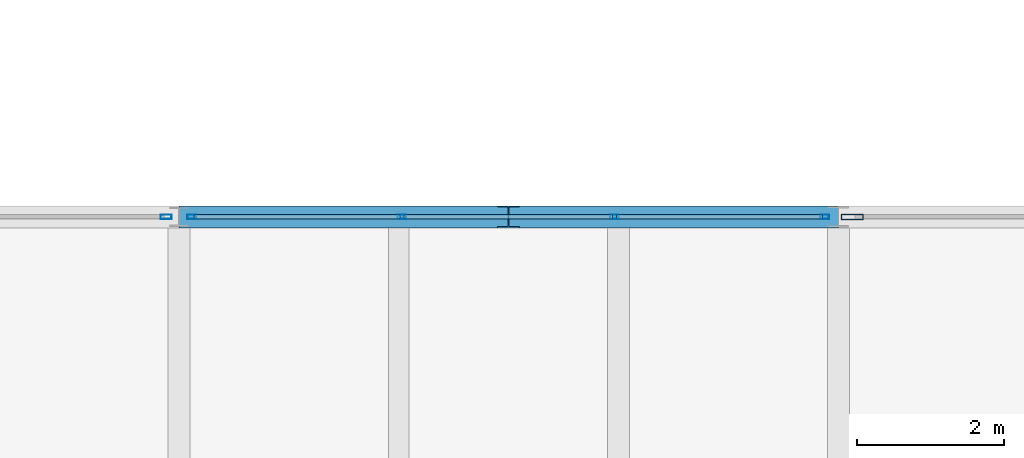
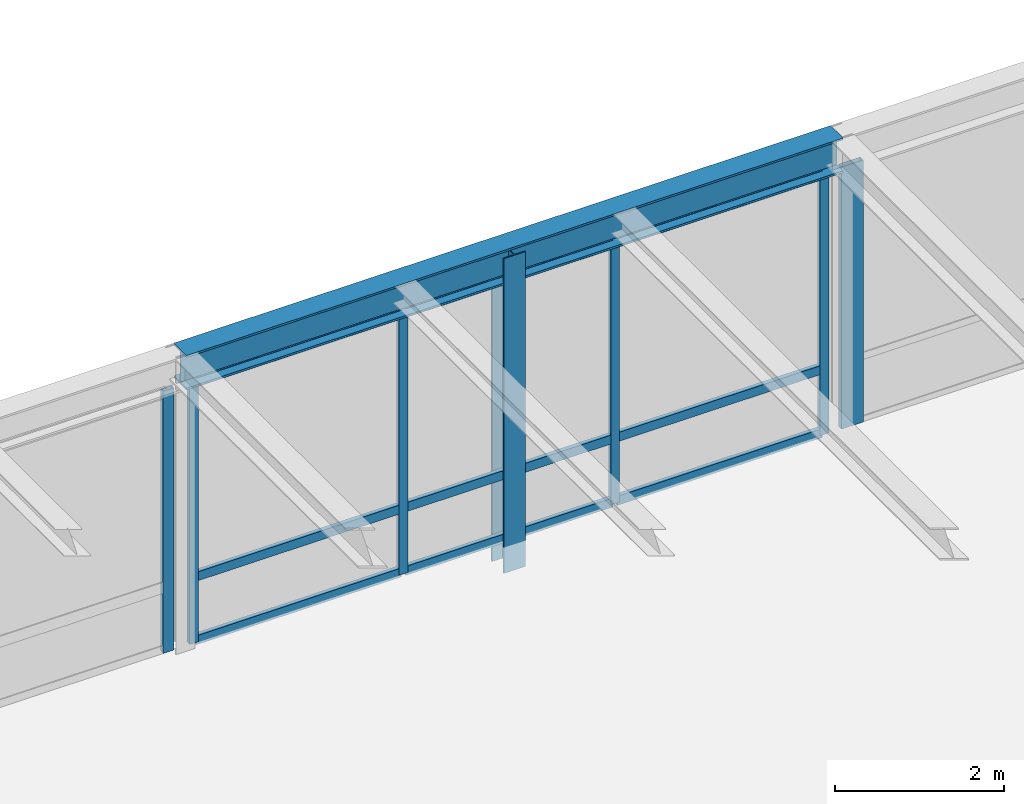
# One storey, part 67 of 115: 16 members, 1 beam, 3 elements without a shape of their own.
"""IFC4 building model written with IfcOpenShell, lengths in metres."""

from ifc_helpers import new_model, si_unit, direction, frame, origin, origin_2d, place, context, subcontext, project, spatial, hollow_rectangle, i_section, extrude, material, layer, layer_set, material_profile, profile_set, type_object, element, aggregate, save


model = new_model("IFC4")

# Units and contexts
model_context = context("Model", 3, precision=1e-05, world=origin(), true_north=direction((0.0, 1.0)))
body_context = subcontext(model_context, "Body", "Model", "MODEL_VIEW")
ifc_project = project(units=[si_unit("LENGTHUNIT", "METRE"), si_unit("AREAUNIT", "SQUARE_METRE"), si_unit("VOLUMEUNIT", "CUBIC_METRE"), si_unit("PLANEANGLEUNIT", "RADIAN"), si_unit("MASSUNIT", "GRAM", prefix="KILO")], contexts=[model_context])

# Site, building, storey
site_placement = place(None, origin())
site = spatial("IfcSite", under=ifc_project, at=site_placement, CompositionType="ELEMENT")
building_placement = place(site_placement, origin())
building = spatial("IfcBuilding", under=site, at=building_placement, Name="Montelvaro Courts of Justice", CompositionType="ELEMENT")
storey_placement = place(building_placement, frame((0.0, 0.0, 9.89990234375)))
storey = spatial("IfcBuildingStorey", under=building, at=storey_placement, Name="L02", CompositionType="ELEMENT", Elevation=9.89990234375)

# Beam
ifc_material_1 = material(Name="Steel S355", Category="steel")
ifc_material_profile_1 = material_profile(ifc_material_1, i_section(OverallWidth=0.300048828125, OverallDepth=0.5, WebThickness=0.014404296875, FlangeThickness=0.028076171875, at=origin_2d()), Name="HEB 500")
ifc_profile_set_1 = profile_set([ifc_material_profile_1], Name="Steel S355")
beam_type = type_object("IfcBeamType", Name="Beam_HEB500", PredefinedType="USERDEFINED", material=ifc_profile_set_1)
beam_placement = place(storey_placement, frame((36.0, 108.0, 4.050048828125), z_axis=(1.0, 0.0, 0.0), x_axis=(0.0, 1.0, 0.0)))
element("IfcBeam", 1, at=beam_placement, inside=storey, type_object=beam_type, Name="Beam B-25 L02", ObjectType="GIRDER", PredefinedType="USERDEFINED", context=body_context, shape_type="SweptSolid", body=[
    extrude(i_section(OverallWidth=0.300048828125, OverallDepth=0.5, WebThickness=0.014404296875, FlangeThickness=0.028076171875, at=origin_2d()), origin(), (0.0, 0.0, 1.0), 9.0),
])

# Curtain wall, members
ifc_material_2 = material(Name="Anodised aluminium EN AW-6063", Category="aluminium")
ifc_layer = layer(ifc_material_2, 0.159912109375)
ifc_layer_set = layer_set([ifc_layer], Name="Anodised aluminium EN AW-6063")
curtain_wall_type = type_object("IfcCurtainWallType", Name="CurtainWall_18_868x418", PredefinedType="USERDEFINED", material=ifc_layer_set)
curtain_wall_1_placement = place(storey_placement, origin())
curtain_wall_1 = element("IfcCurtainWall", 2, at=curtain_wall_1_placement, inside=storey, type_object=curtain_wall_type, Name="Curtain Wall CW-18 (L02)", ObjectType="CURTAIN WALL", PredefinedType="USERDEFINED")
ifc_material_profile_2 = material_profile(ifc_material_2, hollow_rectangle(XDim=0.06005859375, YDim=0.1201171875, WallThickness=0.00341796875, at=origin_2d()), Name="ALU-M 60x120")
ifc_profile_set_2 = profile_set([ifc_material_profile_2], Name="Anodised aluminium EN AW-6063")
member_type_1 = type_object("IfcMemberType", Name="CurtainWall_Mullion_60x120", PredefinedType="MULLION", material=ifc_profile_set_2)
member_1_placement = place(storey_placement, frame((44.81494140625, 108.0, 0.0), z_axis=(0.0, 0.0, 1.0), x_axis=(0.0, -1.0, 0.0)))
member_1 = element("IfcMember", 3, at=member_1_placement, type_object=member_type_1, Name="CW-18 mullion 1", PredefinedType="MULLION", context=body_context, shape_type="SweptSolid", body=[
    extrude(hollow_rectangle(XDim=0.06005859375, YDim=0.1201171875, WallThickness=0.00341796875, at=origin_2d()), origin(), (0.0, 0.0, 1.0), 3.795166015625),
])
member_2_placement = place(storey_placement, frame((41.945068359375, 108.0, 0.0), z_axis=(0.0, 0.0, 1.0), x_axis=(0.0, -1.0, 0.0)))
member_2 = element("IfcMember", 4, at=member_2_placement, type_object=member_type_1, Name="CW-18 mullion 2", PredefinedType="MULLION", context=body_context, shape_type="SweptSolid", body=[
    extrude(hollow_rectangle(XDim=0.06005859375, YDim=0.1201171875, WallThickness=0.00341796875, at=origin_2d()), origin(), (0.0, 0.0, 1.0), 3.795166015625),
])
member_3_placement = place(storey_placement, frame((39.044921875, 108.0, 0.0), z_axis=(0.0, 0.0, 1.0), x_axis=(0.0, -1.0, 0.0)))
member_3 = element("IfcMember", 5, at=member_3_placement, type_object=member_type_1, Name="CW-18 mullion 3", PredefinedType="MULLION", context=body_context, shape_type="SweptSolid", body=[
    extrude(hollow_rectangle(XDim=0.06005859375, YDim=0.1201171875, WallThickness=0.00341796875, at=origin_2d()), origin(), (0.0, 0.0, 1.0), 3.795166015625),
])
member_4_placement = place(storey_placement, frame((36.175048828125, 108.0, 0.0), z_axis=(0.0, 0.0, 1.0), x_axis=(0.0, -1.0, 0.0)))
member_4 = element("IfcMember", 6, at=member_4_placement, type_object=member_type_1, Name="CW-18 mullion 4", PredefinedType="MULLION", context=body_context, shape_type="SweptSolid", body=[
    extrude(hollow_rectangle(XDim=0.06005859375, YDim=0.1201171875, WallThickness=0.00341796875, at=origin_2d()), origin(), (0.0, 0.0, 1.0), 3.795166015625),
])

# Curtain wall, member
curtain_wall_2_placement = place(storey_placement, origin())
curtain_wall_2 = element("IfcCurtainWall", 7, at=curtain_wall_2_placement, inside=storey, type_object=curtain_wall_type, Name="Curtain Wall CW-18 (L02)", ObjectType="CURTAIN WALL", PredefinedType="USERDEFINED")
ifc_material_profile_3 = material_profile(ifc_material_2, hollow_rectangle(XDim=0.06005859375, YDim=0.14990234375, WallThickness=0.00390625, at=origin_2d()), Name="ALU-M 60x150")
ifc_profile_set_3 = profile_set([ifc_material_profile_3], Name="Anodised aluminium EN AW-6063")
member_type_2 = type_object("IfcMemberType", Name="CurtainWall_Mullion_60x150", PredefinedType="MULLION", material=ifc_profile_set_3)
member_5_placement = place(storey_placement, frame((35.824951171875, 108.0, 0.0), z_axis=(0.0, 0.0, 1.0), x_axis=(0.0, -1.0, 0.0)))
member_5 = element("IfcMember", 8, at=member_5_placement, type_object=member_type_2, Name="CW-18 mullion 1", PredefinedType="MULLION", context=body_context, shape_type="SweptSolid", body=[
    extrude(hollow_rectangle(XDim=0.06005859375, YDim=0.14990234375, WallThickness=0.00390625, at=origin_2d()), origin(), (0.0, 0.0, 1.0), 3.795166015625),
])
aggregate(curtain_wall_2, [member_5])

curtain_wall_3_placement = place(storey_placement, origin())
curtain_wall_3 = element("IfcCurtainWall", 9, at=curtain_wall_3_placement, inside=storey, type_object=curtain_wall_type, Name="Curtain Wall CW-18 (L02)", ObjectType="CURTAIN WALL", PredefinedType="USERDEFINED")
ifc_material_profile_4 = material_profile(ifc_material_2, hollow_rectangle(XDim=0.074951171875, YDim=0.300048828125, WallThickness=0.006103515625, at=origin_2d()), Name="ALU-M 75x300")
ifc_profile_set_4 = profile_set([ifc_material_profile_4], Name="Anodised aluminium EN AW-6063")
member_type_3 = type_object("IfcMemberType", Name="CurtainWall_Mullion_75x300", PredefinedType="MULLION", material=ifc_profile_set_4)
member_6_placement = place(storey_placement, frame((45.1923828125, 108.0, 0.0), z_axis=(0.0, 0.0, 1.0), x_axis=(0.0, -1.0, 0.0)))
member_6 = element("IfcMember", 10, at=member_6_placement, type_object=member_type_3, Name="CW-18 mullion 4", PredefinedType="MULLION", context=body_context, shape_type="SweptSolid", body=[
    extrude(hollow_rectangle(XDim=0.074951171875, YDim=0.300048828125, WallThickness=0.006103515625, at=origin_2d()), origin(), (0.0, 0.0, 1.0), 3.795166015625),
])
aggregate(curtain_wall_3, [member_6])

# Member
ifc_material_profile_5 = material_profile(ifc_material_2, hollow_rectangle(XDim=0.06005859375, YDim=0.1298828125, WallThickness=0.00390625, at=origin_2d()), Name="ALU-T 60x130")
ifc_profile_set_5 = profile_set([ifc_material_profile_5], Name="Anodised aluminium EN AW-6063")
member_type_4 = type_object("IfcMemberType", Name="CurtainWall_Transom_60x130", PredefinedType="USERDEFINED", material=ifc_profile_set_5)
member_7_placement = place(storey_placement, frame((44.784912109375, 108.0, 0.030029296875), z_axis=(-1.0, 0.0, 0.0), x_axis=(0.0, -1.0, 0.0)))
member_7 = element("IfcMember", 11, at=member_7_placement, type_object=member_type_4, Name="CW-18 transom 1.1", ObjectType="TRANSOM", PredefinedType="USERDEFINED", context=body_context, shape_type="SweptSolid", body=[
    extrude(hollow_rectangle(XDim=0.06005859375, YDim=0.1298828125, WallThickness=0.00390625, at=origin_2d()), origin(), (0.0, 0.0, 1.0), 2.809814453125),
])

member_8_placement = place(storey_placement, frame((44.784912109375, 108.0, 0.9501953125), z_axis=(-1.0, 0.0, 0.0), x_axis=(0.0, -1.0, 0.0)))
member_8 = element("IfcMember", 12, at=member_8_placement, type_object=member_type_4, Name="CW-18 transom 1.2", ObjectType="TRANSOM", PredefinedType="USERDEFINED", context=body_context, shape_type="SweptSolid", body=[
    extrude(hollow_rectangle(XDim=0.06005859375, YDim=0.1298828125, WallThickness=0.00390625, at=origin_2d()), origin(), (0.0, 0.0, 1.0), 2.809814453125),
])

member_9_placement = place(storey_placement, frame((44.784912109375, 108.0, 3.76513671875), z_axis=(-1.0, 0.0, 0.0), x_axis=(0.0, -1.0, 0.0)))
member_9 = element("IfcMember", 13, at=member_9_placement, type_object=member_type_4, Name="CW-18 transom 1.3", ObjectType="TRANSOM", PredefinedType="USERDEFINED", context=body_context, shape_type="SweptSolid", body=[
    extrude(hollow_rectangle(XDim=0.06005859375, YDim=0.1298828125, WallThickness=0.00390625, at=origin_2d()), origin(), (0.0, 0.0, 1.0), 2.809814453125),
])

member_10_placement = place(storey_placement, frame((41.9150390625, 108.0, 0.030029296875), z_axis=(-1.0, 0.0, 0.0), x_axis=(0.0, -1.0, 0.0)))
member_10 = element("IfcMember", 14, at=member_10_placement, type_object=member_type_4, Name="CW-18 transom 2.1", ObjectType="TRANSOM", PredefinedType="USERDEFINED", context=body_context, shape_type="SweptSolid", body=[
    extrude(hollow_rectangle(XDim=0.06005859375, YDim=0.1298828125, WallThickness=0.00390625, at=origin_2d()), origin(), (0.0, 0.0, 1.0), 2.840087890625),
])

member_11_placement = place(storey_placement, frame((41.9150390625, 108.0, 0.9501953125), z_axis=(-1.0, 0.0, 0.0), x_axis=(0.0, -1.0, 0.0)))
member_11 = element("IfcMember", 15, at=member_11_placement, type_object=member_type_4, Name="CW-18 transom 2.2", ObjectType="TRANSOM", PredefinedType="USERDEFINED", context=body_context, shape_type="SweptSolid", body=[
    extrude(hollow_rectangle(XDim=0.06005859375, YDim=0.1298828125, WallThickness=0.00390625, at=origin_2d()), origin(), (0.0, 0.0, 1.0), 2.840087890625),
])

member_12_placement = place(storey_placement, frame((41.9150390625, 108.0, 3.76513671875), z_axis=(-1.0, 0.0, 0.0), x_axis=(0.0, -1.0, 0.0)))
member_12 = element("IfcMember", 16, at=member_12_placement, type_object=member_type_4, Name="CW-18 transom 2.3", ObjectType="TRANSOM", PredefinedType="USERDEFINED", context=body_context, shape_type="SweptSolid", body=[
    extrude(hollow_rectangle(XDim=0.06005859375, YDim=0.1298828125, WallThickness=0.00390625, at=origin_2d()), origin(), (0.0, 0.0, 1.0), 2.840087890625),
])

member_13_placement = place(storey_placement, frame((39.014892578125, 108.0, 0.030029296875), z_axis=(-1.0, 0.0, 0.0), x_axis=(0.0, -1.0, 0.0)))
member_13 = element("IfcMember", 17, at=member_13_placement, type_object=member_type_4, Name="CW-18 transom 3.1", ObjectType="TRANSOM", PredefinedType="USERDEFINED", context=body_context, shape_type="SweptSolid", body=[
    extrude(hollow_rectangle(XDim=0.06005859375, YDim=0.1298828125, WallThickness=0.00390625, at=origin_2d()), origin(), (0.0, 0.0, 1.0), 2.809814453125),
])

member_14_placement = place(storey_placement, frame((39.014892578125, 108.0, 0.9501953125), z_axis=(-1.0, 0.0, 0.0), x_axis=(0.0, -1.0, 0.0)))
member_14 = element("IfcMember", 18, at=member_14_placement, type_object=member_type_4, Name="CW-18 transom 3.2", ObjectType="TRANSOM", PredefinedType="USERDEFINED", context=body_context, shape_type="SweptSolid", body=[
    extrude(hollow_rectangle(XDim=0.06005859375, YDim=0.1298828125, WallThickness=0.00390625, at=origin_2d()), origin(), (0.0, 0.0, 1.0), 2.809814453125),
])

member_15_placement = place(storey_placement, frame((39.014892578125, 108.0, 3.76513671875), z_axis=(-1.0, 0.0, 0.0), x_axis=(0.0, -1.0, 0.0)))
member_15 = element("IfcMember", 19, at=member_15_placement, type_object=member_type_4, Name="CW-18 transom 3.3", ObjectType="TRANSOM", PredefinedType="USERDEFINED", context=body_context, shape_type="SweptSolid", body=[
    extrude(hollow_rectangle(XDim=0.06005859375, YDim=0.1298828125, WallThickness=0.00390625, at=origin_2d()), origin(), (0.0, 0.0, 1.0), 2.809814453125),
])

aggregate(curtain_wall_1, [member_1, member_2, member_3, member_4, member_7, member_8, member_9, member_10, member_11, member_12, member_13, member_14, member_15])

ifc_material_profile_6 = material_profile(ifc_material_1, i_section(OverallWidth=0.300048828125, OverallDepth=0.300048828125, WebThickness=0.010986328125, FlangeThickness=0.01904296875, at=origin_2d()), Name="HEB 300")
ifc_profile_set_6 = profile_set([ifc_material_profile_6], Name="Steel S355")
member_type_5 = type_object("IfcMemberType", Name="Mem_HEB300_Post", PredefinedType="POST", material=ifc_profile_set_6)
member_16_placement = place(storey_placement, frame((40.5, 108.0, -0.3798828125), z_axis=(0.0, 0.0, 1.0), x_axis=(1.0, 0.0, 0.0)))
element("IfcMember", 20, at=member_16_placement, inside=storey, type_object=member_type_5, Name="Ceremonial Clerestory Structural Post MP-02-02", PredefinedType="POST", context=body_context, shape_type="SweptSolid", body=[
    extrude(i_section(OverallWidth=0.300048828125, OverallDepth=0.300048828125, WebThickness=0.010986328125, FlangeThickness=0.01904296875, at=origin_2d()), origin(), (0.0, 0.0, 1.0), 4.56005859375),
])

save(model, "model.ifc")
